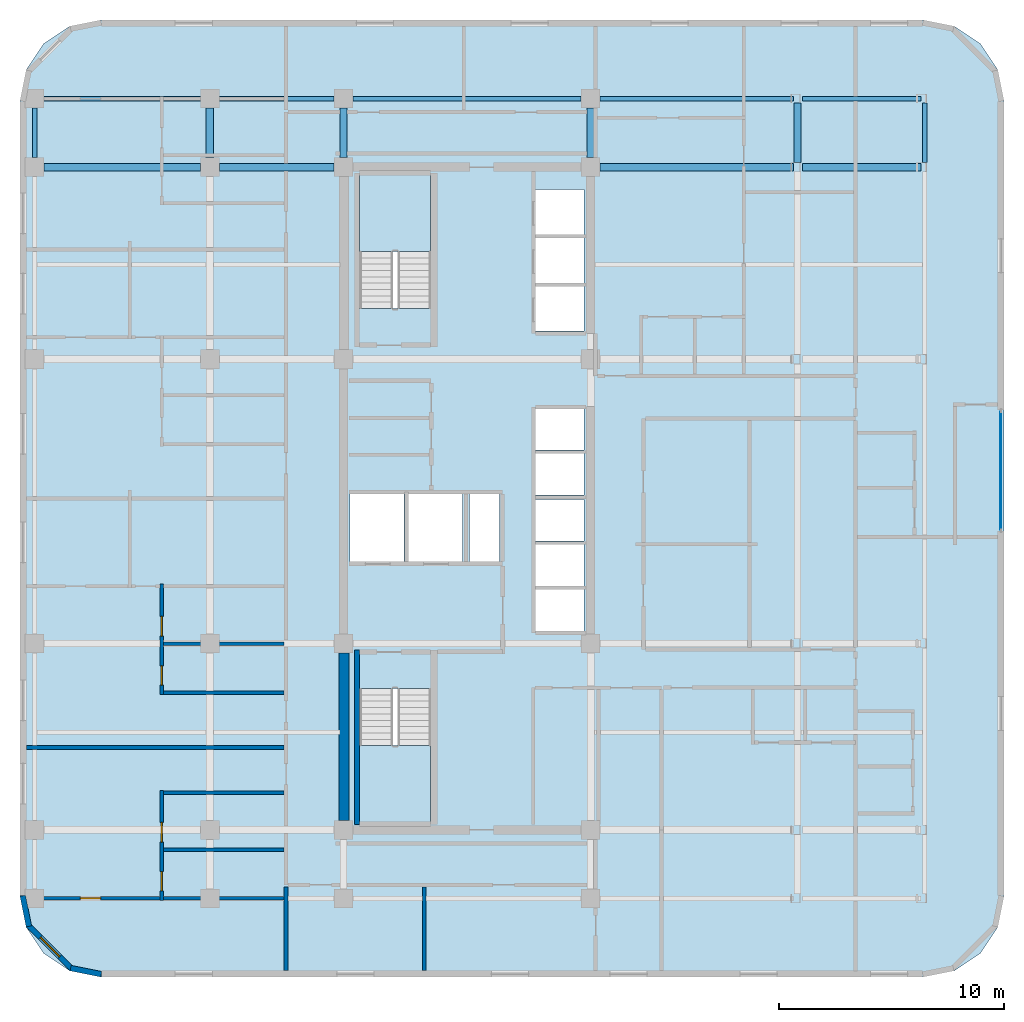
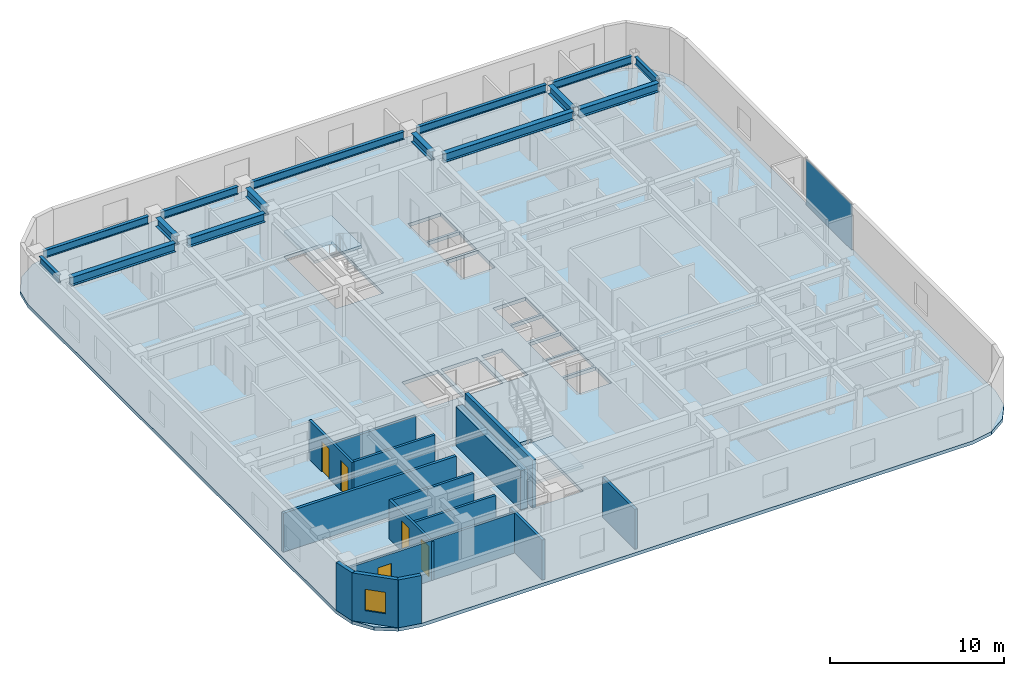
# One storey, part 3 of 9: 15 beams, 15 walls, 5 doors, 3 slabs, 1 plate, 1 window, 6 openings, 3 elements without a shape of their own.
"""IFC4 building model written with IfcOpenShell, lengths in metres."""

from ifc_helpers import new_model, si_unit, direction, frame, frame_2d, origin, origin_2d, place, context, subcontext, project, spatial, polyline, rectangle, i_section, outline, extrude, material, layer, layer_set, material_profile, profile_set, type_object, element, fill, aggregate, save


model = new_model("IFC4")

# Units and contexts
model_context = context("Model", 3, precision=1e-05, world=origin(), true_north=direction((0.0, 1.0)))
body_context = subcontext(model_context, "Body", "Model", "MODEL_VIEW")
ifc_project = project(units=[si_unit("LENGTHUNIT", "METRE"), si_unit("AREAUNIT", "SQUARE_METRE"), si_unit("VOLUMEUNIT", "CUBIC_METRE"), si_unit("PLANEANGLEUNIT", "RADIAN"), si_unit("MASSUNIT", "GRAM", prefix="KILO")], contexts=[model_context])

# Site, building, storey
site_placement = place(None, origin())
site = spatial("IfcSite", under=ifc_project, at=site_placement, CompositionType="ELEMENT")
building_placement = place(site_placement, origin())
building = spatial("IfcBuilding", under=site, at=building_placement, Name="Ochreholt Gables", CompositionType="ELEMENT")
storey_placement = place(building_placement, frame((0.0, 0.0, 124.800048828125)))
storey = spatial("IfcBuildingStorey", under=building, at=storey_placement, Name="L32", CompositionType="ELEMENT", Elevation=124.800048828125)

# Beams
ifc_material_1 = material(Name="Steel CSA G40.21 350W", Category="steel")
ifc_material_profile_1 = material_profile(ifc_material_1, i_section(OverallWidth=0.323974609375, OverallDepth=0.611083984375, WebThickness=0.0126953125, FlangeThickness=0.01904296875, at=origin_2d()), Name="W610X155")
ifc_profile_set_1 = profile_set([ifc_material_profile_1], Name="Steel CSA G40.21 350W")
beam_type_1 = type_object("IfcBeamType", Name="BM-G-W610A", PredefinedType="BEAM", material=ifc_profile_set_1)
beam_1_placement = place(storey_placement, frame((10.87451171875, 38.75, 3.054443359375), z_axis=(1.0, 0.0, 0.0), x_axis=(0.0, 1.0, 0.0)))
element("IfcBeam", 1, at=beam_1_placement, inside=storey, type_object=beam_type_1, Name="L32 Beam TBG-L32-W2W3-Y5", PredefinedType="BEAM", context=body_context, shape_type="SweptSolid", body=[
    extrude(i_section(OverallWidth=0.323974609375, OverallDepth=0.611083984375, WebThickness=0.0126953125, FlangeThickness=0.01904296875, at=origin_2d()), origin(), (0.0, 0.0, 1.0), 6.950927734375),
])
beam_2_placement = place(storey_placement, frame((18.674560546875, 38.75, 3.054443359375), z_axis=(1.0, 0.0, 0.0), x_axis=(0.0, 1.0, 0.0)))
element("IfcBeam", 2, at=beam_2_placement, inside=storey, type_object=beam_type_1, Name="L32 Beam TBG-L32-W3C1-Y5", PredefinedType="BEAM", context=body_context, shape_type="SweptSolid", body=[
    extrude(i_section(OverallWidth=0.323974609375, OverallDepth=0.611083984375, WebThickness=0.0126953125, FlangeThickness=0.01904296875, at=origin_2d()), origin(), (0.0, 0.0, 1.0), 5.100830078125),
])
beam_3_placement = place(storey_placement, frame((35.62451171875, 38.75, 3.054443359375), z_axis=(1.0, 0.0, 0.0), x_axis=(0.0, 1.0, 0.0)))
element("IfcBeam", 3, at=beam_3_placement, inside=storey, type_object=beam_type_1, Name="L32 Beam TBG-L32-C2EM-Y5", PredefinedType="BEAM", context=body_context, shape_type="SweptSolid", body=[
    extrude(i_section(OverallWidth=0.323974609375, OverallDepth=0.611083984375, WebThickness=0.0126953125, FlangeThickness=0.01904296875, at=origin_2d()), origin(), (0.0, 0.0, 1.0), 8.602783203125),
])
beam_4_placement = place(storey_placement, frame((44.632568359375, 38.75, 3.054443359375), z_axis=(1.0, 0.0, 0.0), x_axis=(0.0, 1.0, 0.0)))
element("IfcBeam", 4, at=beam_4_placement, inside=storey, type_object=beam_type_1, Name="L32 Beam TBG-L32-EMEE-Y5", PredefinedType="BEAM", context=body_context, shape_type="SweptSolid", body=[
    extrude(i_section(OverallWidth=0.323974609375, OverallDepth=0.611083984375, WebThickness=0.0126953125, FlangeThickness=0.01904296875, at=origin_2d()), origin(), (0.0, 0.0, 1.0), 5.268798828125),
])
for number, where, z_axis, x_axis, name in (
    (5, (18.25, 39.174560546875, 3.054443359375), (0.0, 1.0, 0.0), (-1.0, 0.0, 0.0), "L32 Beam TBN-L32-W3-Y5Y6"),
    (6, (24.199951171875, 39.174560546875, 3.054443359375), (0.0, 1.0, 0.0), (-1.0, 0.0, 0.0), "L32 Beam TBN-L32-C1-Y5Y6"),
    (7, (35.199951171875, 39.174560546875, 3.054443359375), (0.0, 1.0, 0.0), (-1.0, 0.0, 0.0), "L32 Beam TBN-L32-C2-Y5Y6"),
):
    element("IfcBeam", number, at=place(storey_placement, frame(where, z_axis=z_axis, x_axis=x_axis)), inside=storey, type_object=beam_type_1, Name=name, PredefinedType="BEAM", context=body_context, shape_type="SweptSolid", body=[
        extrude(i_section(OverallWidth=0.323974609375, OverallDepth=0.611083984375, WebThickness=0.0126953125, FlangeThickness=0.01904296875, at=origin_2d()), origin(), (0.0, 0.0, 1.0), 2.200927734375),
    ])
beam_5_placement = place(storey_placement, frame((44.412841796875, 38.95263671875, 3.054443359375), z_axis=(0.0, 1.0, 0.0), x_axis=(-1.0, 0.0, 0.0)))
element("IfcBeam", 8, at=beam_5_placement, inside=storey, type_object=beam_type_1, Name="L32 Beam TBN-L32-EM-Y5Y6", PredefinedType="BEAM", context=body_context, shape_type="SweptSolid", body=[
    extrude(i_section(OverallWidth=0.323974609375, OverallDepth=0.611083984375, WebThickness=0.0126953125, FlangeThickness=0.01904296875, at=origin_2d()), origin(), (0.0, 0.0, 1.0), 2.644775390625),
])
ifc_material_profile_2 = material_profile(ifc_material_1, i_section(OverallWidth=0.208984375, OverallDepth=0.532958984375, WebThickness=0.01025390625, FlangeThickness=0.015625, at=origin_2d()), Name="W530X92")
ifc_profile_set_2 = profile_set([ifc_material_profile_2], Name="Steel CSA G40.21 350W")
beam_type_2 = type_object("IfcBeamType", Name="BM-SP-W530B", PredefinedType="SPANDREL", material=ifc_profile_set_2)
beam_6_placement = place(storey_placement, frame((10.87451171875, 41.800048828125, 3.093505859375), z_axis=(1.0, 0.0, 0.0), x_axis=(0.0, 1.0, 0.0)))
element("IfcBeam", 9, at=beam_6_placement, inside=storey, type_object=beam_type_2, Name="L32 Beam TBG-L32-W2W3-Y6", PredefinedType="SPANDREL", context=body_context, shape_type="SweptSolid", body=[
    extrude(i_section(OverallWidth=0.208984375, OverallDepth=0.532958984375, WebThickness=0.01025390625, FlangeThickness=0.015625, at=origin_2d()), origin(), (0.0, 0.0, 1.0), 6.950927734375),
])
beam_7_placement = place(storey_placement, frame((18.674560546875, 41.800048828125, 3.093505859375), z_axis=(1.0, 0.0, 0.0), x_axis=(0.0, 1.0, 0.0)))
element("IfcBeam", 10, at=beam_7_placement, inside=storey, type_object=beam_type_2, Name="L32 Beam TBG-L32-W3C1-Y6", PredefinedType="SPANDREL", context=body_context, shape_type="SweptSolid", body=[
    extrude(i_section(OverallWidth=0.208984375, OverallDepth=0.532958984375, WebThickness=0.01025390625, FlangeThickness=0.015625, at=origin_2d()), origin(), (0.0, 0.0, 1.0), 5.100830078125),
])
beam_8_placement = place(storey_placement, frame((24.62451171875, 41.800048828125, 3.093505859375), z_axis=(1.0, 0.0, 0.0), x_axis=(0.0, 1.0, 0.0)))
element("IfcBeam", 11, at=beam_8_placement, inside=storey, type_object=beam_type_2, Name="L32 Beam TBG-L32-C1C2-Y6", PredefinedType="SPANDREL", context=body_context, shape_type="SweptSolid", body=[
    extrude(i_section(OverallWidth=0.208984375, OverallDepth=0.532958984375, WebThickness=0.01025390625, FlangeThickness=0.015625, at=origin_2d()), origin(), (0.0, 0.0, 1.0), 10.15087890625),
])
beam_9_placement = place(storey_placement, frame((35.62451171875, 41.800048828125, 3.093505859375), z_axis=(1.0, 0.0, 0.0), x_axis=(0.0, 1.0, 0.0)))
element("IfcBeam", 12, at=beam_9_placement, inside=storey, type_object=beam_type_2, Name="L32 Beam TBG-L32-C2EM-Y6", PredefinedType="SPANDREL", context=body_context, shape_type="SweptSolid", body=[
    extrude(i_section(OverallWidth=0.208984375, OverallDepth=0.532958984375, WebThickness=0.01025390625, FlangeThickness=0.015625, at=origin_2d()), origin(), (0.0, 0.0, 1.0), 8.602783203125),
])
beam_10_placement = place(storey_placement, frame((44.632568359375, 41.800048828125, 3.093505859375), z_axis=(1.0, 0.0, 0.0), x_axis=(0.0, 1.0, 0.0)))
element("IfcBeam", 13, at=beam_10_placement, inside=storey, type_object=beam_type_2, Name="L32 Beam TBG-L32-EMEE-Y6", PredefinedType="SPANDREL", context=body_context, shape_type="SweptSolid", body=[
    extrude(i_section(OverallWidth=0.208984375, OverallDepth=0.532958984375, WebThickness=0.01025390625, FlangeThickness=0.015625, at=origin_2d()), origin(), (0.0, 0.0, 1.0), 5.268798828125),
])
beam_11_placement = place(storey_placement, frame((10.449951171875, 39.174560546875, 3.093505859375), z_axis=(0.0, 1.0, 0.0), x_axis=(-1.0, 0.0, 0.0)))
element("IfcBeam", 14, at=beam_11_placement, inside=storey, type_object=beam_type_2, Name="L32 Beam TBN-L32-W2-Y5Y6", PredefinedType="SPANDREL", context=body_context, shape_type="SweptSolid", body=[
    extrude(i_section(OverallWidth=0.208984375, OverallDepth=0.532958984375, WebThickness=0.01025390625, FlangeThickness=0.015625, at=origin_2d()), origin(), (0.0, 0.0, 1.0), 2.200927734375),
])
beam_12_placement = place(storey_placement, frame((50.07568359375, 38.95263671875, 3.093505859375), z_axis=(0.0, 1.0, 0.0), x_axis=(-1.0, 0.0, 0.0)))
element("IfcBeam", 15, at=beam_12_placement, inside=storey, type_object=beam_type_2, Name="L32 Beam TBN-L32-EE-Y5Y6", PredefinedType="SPANDREL", context=body_context, shape_type="SweptSolid", body=[
    extrude(i_section(OverallWidth=0.208984375, OverallDepth=0.532958984375, WebThickness=0.01025390625, FlangeThickness=0.015625, at=origin_2d()), origin(), (0.0, 0.0, 1.0), 2.644775390625),
])

# Curtain wall, plate
ifc_material_2 = material(Name="Unitised Aluminium and Triple Glazing", Category="aluminium")
ifc_layer_1 = layer(ifc_material_2, 0.18994140625, Name="Unitised Aluminium and Triple Glazing")
ifc_layer_set_1 = layer_set([ifc_layer_1], Name="Unitised Aluminium and Triple Glazing")
curtain_wall_type = type_object("IfcCurtainWallType", Name="CW-SYS3", PredefinedType="NOTDEFINED", material=ifc_layer_set_1)
curtain_wall_placement = place(storey_placement, origin())
curtain_wall = element("IfcCurtainWall", 16, at=curtain_wall_placement, inside=storey, type_object=curtain_wall_type, Name="L32 East Unitised Curtain Wall", PredefinedType="NOTDEFINED")
ifc_material_3 = material(Name="Triple Low-E Insulating Glass", Category="glass")
ifc_layer_2 = layer(ifc_material_3, 0.033935546875, Name="Triple Low-E Insulating Glass")
ifc_layer_set_2 = layer_set([ifc_layer_2], Name="Triple Low-E Insulating Glass")
plate_type = type_object("IfcPlateType", Name="CW-PNL-34", PredefinedType="CURTAIN_PANEL", material=ifc_layer_set_2)
plate_placement = place(storey_placement, frame((53.4599609375, 25.240966796875, 0.074951171875), z_axis=(0.0, 0.0, 1.0), x_axis=(0.0, 1.0, 0.0)))
plate = element("IfcPlate", 17, at=plate_placement, type_object=plate_type, Name="CW-3 panel 1.1", PredefinedType="CURTAIN_PANEL", context=body_context, shape_type="SweptSolid", body=[
    extrude(rectangle(XDim=5.260009765625, YDim=0.033935546875, at=origin_2d()), origin(), (0.0, 0.0, 1.0), 3.2099609375),
])
aggregate(curtain_wall, [plate])

# Stair, slab
ifc_material_4 = material(Name="Concrete 40 MPa", Category="concrete")
stair_type_1 = type_object("IfcStairType", Name="STAIR-CORE-ST-1", PredefinedType="HALF_TURN_STAIR", material=ifc_material_4)
stair_1_placement = place(storey_placement, origin())
stair_1 = element("IfcStair", 18, at=stair_1_placement, inside=storey, type_object=stair_type_1, Name="L32 Core Exit Stair 1", PredefinedType="HALF_TURN_STAIR")
ifc_layer_3 = layer(ifc_material_4, 0.199951171875, Name="Concrete 40 MPa")
ifc_layer_set_3 = layer_set([ifc_layer_3], Name="Concrete 40 MPa")
slab_type_1 = type_object("IfcSlabType", Name="LANDING-RC200", PredefinedType="LANDING", material=ifc_layer_set_3)
slab_1_placement = place(storey_placement, frame((0.0, 0.0, 1.599853515625)))
slab_1 = element("IfcSlab", 19, at=slab_1_placement, type_object=slab_type_1, Name="ST-1 landing 1", PredefinedType="LANDING", context=body_context, shape_type="SweptSolid", body=[
    extrude(outline(polyline([(24.919921875, 13.001953125), (24.919921875, 9.52001953125), (28.080078125, 9.52001953125), (28.080078125, 13.001953125), (24.919921875, 13.001953125)])), origin(), (0.0, 0.0, 1.0), 0.2001953125),
])
aggregate(stair_1, [slab_1])

stair_type_2 = type_object("IfcStairType", Name="STAIR-CORE-ST-2", PredefinedType="HALF_TURN_STAIR", material=ifc_material_4)
stair_2_placement = place(storey_placement, origin())
stair_2 = element("IfcStair", 20, at=stair_2_placement, inside=storey, type_object=stair_type_2, Name="L32 Core Exit Stair 2", PredefinedType="HALF_TURN_STAIR")
slab_2_placement = place(storey_placement, frame((0.0, 0.0, 1.599853515625)))
slab_2 = element("IfcSlab", 21, at=slab_2_placement, type_object=slab_type_1, Name="ST-2 landing 1", PredefinedType="LANDING", context=body_context, shape_type="SweptSolid", body=[
    extrude(outline(polyline([(28.080078125, 34.998046875), (28.080078125, 38.47998046875), (24.919921875, 38.47998046875), (24.919921875, 34.998046875), (28.080078125, 34.998046875)])), origin(), (0.0, 0.0, 1.0), 0.2001953125),
])
aggregate(stair_2, [slab_2])

# Slab
ifc_layer_4 = layer(ifc_material_4, 0.239990234375, Name="Concrete 40 MPa")
ifc_layer_set_4 = layer_set([ifc_layer_4], Name="Concrete 40 MPa")
slab_type_2 = type_object("IfcSlabType", Name="SLAB-TWR-240", PredefinedType="FLOOR", material=ifc_layer_set_4)
slab_3_placement = place(storey_placement, frame((0.0, 0.0, -0.239990234375)))
element("IfcSlab", 22, at=slab_3_placement, inside=storey, type_object=slab_type_2, Name="L32 Structural Floor Slab", PredefinedType="FLOOR", context=body_context, shape_type="SweptSolid", body=[
    extrude(outline(polyline([(9.800048828125, 6.300048828125), (10.073974609375, 4.92236328125), (10.8544921875, 3.75439453125), (12.022216796875, 2.97412109375), (13.39990234375, 2.699951171875), (50.0, 2.699951171875), (51.377685546875, 2.97412109375), (52.545654296875, 3.75439453125), (53.325927734375, 4.92236328125), (53.60009765625, 6.300048828125), (53.60009765625, 41.699951171875), (53.325927734375, 43.07763671875), (52.545654296875, 44.24560546875), (51.377685546875, 45.02587890625), (50.0, 45.300048828125), (13.39990234375, 45.300048828125), (12.022216796875, 45.02587890625), (10.8544921875, 44.24560546875), (10.073974609375, 43.07763671875), (9.800048828125, 41.699951171875), (9.800048828125, 6.300048828125)]), holes=[polyline([(24.919921875, 15.539306640625), (24.919921875, 9.52001953125), (28.080078125, 9.52001953125), (28.080078125, 15.539306640625), (24.919921875, 15.539306640625)]), polyline([(28.080078125, 32.460693359375), (28.080078125, 38.47998046875), (24.919921875, 38.47998046875), (24.919921875, 32.460693359375), (28.080078125, 32.460693359375)]), polyline([(24.5, 21.199951171875), (26.89990234375, 21.199951171875), (26.89990234375, 24.199951171875), (24.5, 24.199951171875), (24.5, 21.199951171875)]), polyline([(27.10009765625, 21.199951171875), (29.5, 21.199951171875), (29.5, 24.199951171875), (27.10009765625, 24.199951171875), (27.10009765625, 21.199951171875)]), polyline([(32.75, 18.10009765625), (34.89990234375, 18.10009765625), (34.89990234375, 19.949951171875), (32.75, 19.949951171875), (32.75, 18.10009765625)]), polyline([(32.75, 20.10009765625), (34.89990234375, 20.10009765625), (34.89990234375, 21.949951171875), (32.75, 21.949951171875), (32.75, 20.10009765625)]), polyline([(32.75, 22.10009765625), (34.89990234375, 22.10009765625), (34.89990234375, 23.949951171875), (32.75, 23.949951171875), (32.75, 22.10009765625)]), polyline([(32.75, 24.14990234375), (34.89990234375, 24.14990234375), (34.89990234375, 26.0), (32.75, 26.0), (32.75, 24.14990234375)]), polyline([(32.75, 26.14990234375), (34.89990234375, 26.14990234375), (34.89990234375, 28.0), (32.75, 28.0), (32.75, 26.14990234375)]), polyline([(32.75, 31.449951171875), (34.89990234375, 31.449951171875), (34.89990234375, 33.449951171875), (32.75, 33.449951171875), (32.75, 31.449951171875)]), polyline([(32.75, 33.60009765625), (34.89990234375, 33.60009765625), (34.89990234375, 35.60009765625), (32.75, 35.60009765625), (32.75, 33.60009765625)]), polyline([(32.75, 35.75), (34.89990234375, 35.75), (34.89990234375, 37.75), (32.75, 37.75), (32.75, 35.75)]), polyline([(29.800048828125, 21.199951171875), (31.14990234375, 21.199951171875), (31.14990234375, 24.199951171875), (29.800048828125, 24.199951171875), (29.800048828125, 21.199951171875)])]), origin(), (0.0, 0.0, 1.0), 0.239990234375),
])

# Walls
ifc_material_5 = material(Name="Concrete 60 MPa", Category="concrete")
ifc_layer_5 = layer(ifc_material_5, 0.449951171875, Name="Concrete 60 MPa")
ifc_layer_set_5 = layer_set([ifc_layer_5], Name="Concrete 60 MPa")
wall_type_1 = type_object("IfcWallType", Name="WALL-CSW-450", PredefinedType="SHEAR", material=ifc_layer_set_5)
wall_1_placement = place(storey_placement, frame((24.22509765625, 9.675048828125, 0.0), z_axis=(0.0, 0.0, 1.0), x_axis=(0.0, 1.0, 0.0)))
element("IfcWall", 23, at=wall_1_placement, inside=storey, type_object=wall_type_1, Name="L32 Core West Shear Wall WS", PredefinedType="SHEAR", context=body_context, shape_type="SweptSolid", body=[
    extrude(rectangle(XDim=7.449951171875, YDim=0.449951171875, at=frame_2d((3.72509765625, 0.0))), origin(), (0.0, 0.0, 1.0), 2.7490234375),
])
ifc_material_6 = material(Name="Precast concrete 40 MPa", Category="concrete")
ifc_layer_6 = layer(ifc_material_6, 0.25, Name="Precast concrete 40 MPa")
ifc_layer_set_6 = layer_set([ifc_layer_6], Name="Precast concrete 40 MPa")
wall_type_2 = type_object("IfcWallType", Name="WALL-EXT-CNR", PredefinedType="SOLIDWALL", material=ifc_layer_set_6)
wall_2_placement = place(storey_placement, frame((9.92431640625, 6.31640625, 0.0), z_axis=(0.0, 0.0, 1.0), x_axis=(0.195000137217, -0.980803214965, 0.0)))
element("IfcWall", 24, at=wall_2_placement, inside=storey, type_object=wall_type_2, Name="L32 Rounded Corner Wall SW-1", PredefinedType="SOLIDWALL", context=body_context, shape_type="SweptSolid", body=[
    extrude(rectangle(XDim=1.388427734375, YDim=0.25, at=frame_2d((0.6943359375, 0.0))), origin(), (0.0, 0.0, 1.0), 3.35986328125),
])

# Wall, opening, window
wall_3_placement = place(storey_placement, frame((10.16796875, 5.0048828125, 0.0), z_axis=(0.0, 0.0, 1.0), x_axis=(0.707151344399, -0.707062215165, 0.0)))
wall_3 = element("IfcWall", 25, at=wall_3_placement, inside=storey, type_object=wall_type_2, Name="L32 Rounded Corner Wall SW-2", PredefinedType="SOLIDWALL", context=body_context, shape_type="SweptSolid", body=[
    extrude(rectangle(XDim=2.7392578125, YDim=0.25, at=frame_2d((1.36962890625, 0.0))), origin(), (0.0, 0.0, 1.0), 3.35986328125),
])
opening_1_placement = place(wall_3_placement, frame((0.769775390625, 0.0, 0.85009765625)))
opening_1 = element("IfcOpeningElement", 26, at=opening_1_placement, cuts=wall_3, Name="Opening WN-3", PredefinedType="OPENING", context=body_context, shape_type="SweptSolid", body=[
    extrude(rectangle(XDim=1.199951171875, YDim=1.5, at=frame_2d((0.60009765625, 0.75))), frame((0.0, 0.135009765625, 0.0), z_axis=(0.0, -1.0, 0.0), x_axis=(1.0, 0.0, 0.0)), (0.0, 0.0, 1.0), 0.27001953125),
])
ifc_material_7 = material(Name="Triple-Glazed Thermally Broken Aluminium Window", Category="aluminium")
window_type = type_object("IfcWindowType", Name="WIN-RES-1200", PartitioningType="SINGLE_PANEL", PredefinedType="WINDOW", material=ifc_material_7)
window_placement = place(opening_1_placement, origin())
window = element("IfcWindow", 27, at=window_placement, inside=storey, type_object=window_type, Name="L32 Corner Bedroom Window SW", OverallHeight=1.5, OverallWidth=1.199951171875, PartitioningType="SINGLE_PANEL", PredefinedType="WINDOW", context=body_context, shape_type="SweptSolid", body=[
    extrude(rectangle(XDim=1.199951171875, YDim=1.5, at=frame_2d((0.60009765625, 0.75))), frame((0.0, 0.030029296875, 0.0), z_axis=(0.0, -1.0, 0.0), x_axis=(1.0, 0.0, 0.0)), (0.0, 0.0, 1.0), 0.06005859375),
])
fill(opening_1, window)

# Walls
wall_4_placement = place(storey_placement, frame((12.054443359375, 3.094970703125, 0.0), z_axis=(0.0, 0.0, 1.0), x_axis=(0.980809899341, -0.19496651342, 0.0)))
element("IfcWall", 28, at=wall_4_placement, inside=storey, type_object=wall_type_2, Name="L32 Rounded Corner Wall SW-3", PredefinedType="SOLIDWALL", context=body_context, shape_type="SweptSolid", body=[
    extrude(rectangle(XDim=1.388671875, YDim=0.25, at=frame_2d((0.6943359375, 0.0))), origin(), (0.0, 0.0, 1.0), 3.35986328125),
])
ifc_material_8 = material(Name="Double-Stud Acoustic Demising Wall", Category="gypsum")
ifc_layer_7 = layer(ifc_material_8, 0.179931640625, Name="Double-Stud Acoustic Demising Wall")
ifc_layer_set_7 = layer_set([ifc_layer_7], Name="Double-Stud Acoustic Demising Wall")
wall_type_3 = type_object("IfcWallType", Name="WALL-INT-DM180", PredefinedType="PARTITIONING", material=ifc_layer_set_7)
wall_5_placement = place(storey_placement, frame((21.64990234375, 2.97998046875, 0.0), z_axis=(0.0, 0.0, 1.0), x_axis=(0.0, 1.0, 0.0)))
element("IfcWall", 29, at=wall_5_placement, inside=storey, type_object=wall_type_3, Name="L32 Interior Wall WI-C2WWS-L32", PredefinedType="PARTITIONING", context=body_context, shape_type="SweptSolid", body=[
    extrude(rectangle(XDim=3.72998046875, YDim=0.179931640625, at=frame_2d((1.864990234375, 0.0))), origin(), (0.0, 0.0, 1.0), 2.808837890625),
])
wall_6_placement = place(storey_placement, frame((10.080078125, 12.924072265625, 0.0), z_axis=(0.0, 0.0, 1.0), x_axis=(1.0, 0.0, 0.0)))
element("IfcWall", 30, at=wall_6_placement, inside=storey, type_object=wall_type_3, Name="L32 Interior Wall WI-C2UDW2-L32", PredefinedType="PARTITIONING", context=body_context, shape_type="SweptSolid", body=[
    extrude(rectangle(XDim=11.47998046875, YDim=0.179931640625, at=frame_2d((5.739990234375, 0.0))), origin(), (0.0, 0.0, 1.0), 2.73095703125),
])
ifc_material_9 = material(Name="Moisture-Resistant Plumbing Chase Wall", Category="gypsum")
ifc_layer_8 = layer(ifc_material_9, 0.159912109375, Name="Moisture-Resistant Plumbing Chase Wall")
ifc_layer_set_8 = layer_set([ifc_layer_8], Name="Moisture-Resistant Plumbing Chase Wall")
wall_type_4 = type_object("IfcWallType", Name="WALL-INT-PL160", PredefinedType="PLUMBINGWALL", material=ifc_layer_set_8)
wall_7_placement = place(storey_placement, frame((16.030029296875, 10.912109375, 0.0), z_axis=(0.0, 0.0, 1.0), x_axis=(1.0, 0.0, 0.0)))
element("IfcWall", 31, at=wall_7_placement, inside=storey, type_object=wall_type_4, Name="L32 Interior Wall WU-L32W1-FYN", PredefinedType="PLUMBINGWALL", context=body_context, shape_type="SweptSolid", body=[
    extrude(rectangle(XDim=5.530029296875, YDim=0.159912109375, at=frame_2d((2.76513671875, 0.0))), origin(), (0.0, 0.0, 1.0), 2.73095703125),
])

# Wall, openings, doors
wall_8_placement = place(storey_placement, frame((16.110107421875, 6.114990234375, 0.0), z_axis=(0.0, 0.0, 1.0), x_axis=(0.0, 1.0, 0.0)))
wall_8 = element("IfcWall", 32, at=wall_8_placement, inside=storey, type_object=wall_type_4, Name="L32 Interior Wall WU-L32W1-WX", PredefinedType="PLUMBINGWALL", context=body_context, shape_type="SweptSolid", body=[
    extrude(rectangle(XDim=4.886962890625, YDim=0.159912109375, at=frame_2d((2.443359375, 0.0))), origin(), (0.0, 0.0, 1.0), 2.73095703125),
])
opening_2_placement = place(wall_8_placement, frame((0.419921875, 0.0, 0.0)))
opening_2 = element("IfcOpeningElement", 33, at=opening_2_placement, cuts=wall_8, Name="Opening D-BT1", PredefinedType="OPENING", context=body_context, shape_type="SweptSolid", body=[
    extrude(rectangle(XDim=0.860107421875, YDim=2.1201171875, at=frame_2d((0.43017578125, 1.06005859375))), frame((0.0, 0.08984375, 0.0), z_axis=(0.0, -1.0, 0.0), x_axis=(1.0, 0.0, 0.0)), (0.0, 0.0, 1.0), 0.179931640625),
])
opening_3_placement = place(wall_8_placement, frame((2.585205078125, 0.0, 0.0)))
opening_3 = element("IfcOpeningElement", 34, at=opening_3_placement, cuts=wall_8, Name="Opening D-GN2", PredefinedType="OPENING", context=body_context, shape_type="SweptSolid", body=[
    extrude(rectangle(XDim=0.8798828125, YDim=2.1201171875, at=frame_2d((0.43994140625, 1.06005859375))), frame((0.0, 0.08984375, 0.0), z_axis=(0.0, -1.0, 0.0), x_axis=(1.0, 0.0, 0.0)), (0.0, 0.0, 1.0), 0.179931640625),
])
ifc_material_10 = material(Name="Engineered Oak Timber", Category="wood")
door_type_1 = type_object("IfcDoorType", Name="DR-INT-BTH860", OperationType="NOTDEFINED", PredefinedType="DOOR", material=ifc_material_10)
door_1_placement = place(opening_2_placement, origin())
door_1 = element("IfcDoor", 35, at=door_1_placement, inside=storey, type_object=door_type_1, Name="L32 Door D-U-L32W1-BTH", OperationType="SINGLE_SWING_LEFT", OverallHeight=2.1201171875, OverallWidth=0.860107421875, PredefinedType="DOOR", context=body_context, shape_type="SweptSolid", body=[
    extrude(rectangle(XDim=0.860107421875, YDim=2.1201171875, at=frame_2d((0.43017578125, 1.06005859375))), frame((0.0, 0.02490234375, 0.0), z_axis=(0.0, -1.0, 0.0), x_axis=(1.0, 0.0, 0.0)), (0.0, 0.0, 1.0), 0.050048828125),
])
fill(opening_2, door_1)
door_type_2 = type_object("IfcDoorType", Name="DR-INT-GEN880", OperationType="NOTDEFINED", PredefinedType="DOOR", material=ifc_material_10)
door_2_placement = place(opening_3_placement, origin())
door_2 = element("IfcDoor", 36, at=door_2_placement, inside=storey, type_object=door_type_2, Name="L32 Door D-U-L32W1-KIT", OperationType="SINGLE_SWING_RIGHT", OverallHeight=2.1201171875, OverallWidth=0.8798828125, PredefinedType="DOOR", context=body_context, shape_type="SweptSolid", body=[
    extrude(rectangle(XDim=0.8798828125, YDim=2.1201171875, at=frame_2d((0.43994140625, 1.06005859375))), frame((0.0, 0.02490234375, 0.0), z_axis=(0.0, -1.0, 0.0), x_axis=(1.0, 0.0, 0.0)), (0.0, 0.0, 1.0), 0.050048828125),
])
fill(opening_3, door_2)

# Walls
wall_9_placement = place(storey_placement, frame((16.18994140625, 8.3701171875, 0.0), z_axis=(0.0, 0.0, 1.0), x_axis=(1.0, 0.0, 0.0)))
element("IfcWall", 37, at=wall_9_placement, inside=storey, type_object=wall_type_4, Name="L32 Interior Wall WU-L32W1-WK", PredefinedType="PLUMBINGWALL", context=body_context, shape_type="SweptSolid", body=[
    extrude(rectangle(XDim=5.3701171875, YDim=0.159912109375, at=frame_2d((2.68505859375, 0.0))), origin(), (0.0, 0.0, 1.0), 2.73095703125),
])
wall_10_placement = place(storey_placement, frame((16.030029296875, 15.36083984375, 0.0), z_axis=(0.0, 0.0, 1.0), x_axis=(1.0, 0.0, 0.0)))
element("IfcWall", 38, at=wall_10_placement, inside=storey, type_object=wall_type_4, Name="L32 Interior Wall WU-L32W2-FYS", PredefinedType="PLUMBINGWALL", context=body_context, shape_type="SweptSolid", body=[
    extrude(rectangle(XDim=5.530029296875, YDim=0.159912109375, at=frame_2d((2.76513671875, 0.0))), origin(), (0.0, 0.0, 1.0), 2.73095703125),
])

# Wall, openings, doors
wall_11_placement = place(storey_placement, frame((16.110107421875, 15.27099609375, 0.0), z_axis=(0.0, 0.0, 1.0), x_axis=(0.0, 1.0, 0.0)))
wall_11 = element("IfcWall", 39, at=wall_11_placement, inside=storey, type_object=wall_type_4, Name="L32 Interior Wall WU-L32W2-WX", PredefinedType="PLUMBINGWALL", context=body_context, shape_type="SweptSolid", body=[
    extrude(rectangle(XDim=4.915283203125, YDim=0.159912109375, at=frame_2d((2.45751953125, 0.0))), origin(), (0.0, 0.0, 1.0), 2.73095703125),
])
opening_4_placement = place(wall_11_placement, frame((0.419921875, 0.0, 0.0)))
opening_4 = element("IfcOpeningElement", 40, at=opening_4_placement, cuts=wall_11, Name="Opening D-BT1", PredefinedType="OPENING", context=body_context, shape_type="SweptSolid", body=[
    extrude(rectangle(XDim=0.860107421875, YDim=2.1201171875, at=frame_2d((0.43017578125, 1.06005859375))), frame((0.0, 0.08984375, 0.0), z_axis=(0.0, -1.0, 0.0), x_axis=(1.0, 0.0, 0.0)), (0.0, 0.0, 1.0), 0.179931640625),
])
opening_5_placement = place(wall_11_placement, frame((2.598388671875, 0.0, 0.0)))
opening_5 = element("IfcOpeningElement", 41, at=opening_5_placement, cuts=wall_11, Name="Opening D-GN2", PredefinedType="OPENING", context=body_context, shape_type="SweptSolid", body=[
    extrude(rectangle(XDim=0.8798828125, YDim=2.1201171875, at=frame_2d((0.43994140625, 1.06005859375))), frame((0.0, 0.08984375, 0.0), z_axis=(0.0, -1.0, 0.0), x_axis=(1.0, 0.0, 0.0)), (0.0, 0.0, 1.0), 0.179931640625),
])
door_3_placement = place(opening_4_placement, origin())
door_3 = element("IfcDoor", 42, at=door_3_placement, inside=storey, type_object=door_type_1, Name="L32 Door D-U-L32W2-BTH", OperationType="SINGLE_SWING_RIGHT", OverallHeight=2.1201171875, OverallWidth=0.860107421875, PredefinedType="DOOR", context=body_context, shape_type="SweptSolid", body=[
    extrude(rectangle(XDim=0.860107421875, YDim=2.1201171875, at=frame_2d((0.43017578125, 1.06005859375))), frame((0.0, 0.02490234375, 0.0), z_axis=(0.0, -1.0, 0.0), x_axis=(1.0, 0.0, 0.0)), (0.0, 0.0, 1.0), 0.050048828125),
])
fill(opening_4, door_3)
door_4_placement = place(opening_5_placement, origin())
door_4 = element("IfcDoor", 43, at=door_4_placement, inside=storey, type_object=door_type_2, Name="L32 Door D-U-L32W2-KIT", OperationType="SINGLE_SWING_LEFT", OverallHeight=2.1201171875, OverallWidth=0.8798828125, PredefinedType="DOOR", context=body_context, shape_type="SweptSolid", body=[
    extrude(rectangle(XDim=0.8798828125, YDim=2.1201171875, at=frame_2d((0.43994140625, 1.06005859375))), frame((0.0, 0.02490234375, 0.0), z_axis=(0.0, -1.0, 0.0), x_axis=(1.0, 0.0, 0.0)), (0.0, 0.0, 1.0), 0.050048828125),
])
fill(opening_5, door_4)

# Wall
wall_12_placement = place(storey_placement, frame((16.18994140625, 17.539306640625, 0.0), z_axis=(0.0, 0.0, 1.0), x_axis=(1.0, 0.0, 0.0)))
element("IfcWall", 44, at=wall_12_placement, inside=storey, type_object=wall_type_4, Name="L32 Interior Wall WU-L32W2-WK", PredefinedType="PLUMBINGWALL", context=body_context, shape_type="SweptSolid", body=[
    extrude(rectangle(XDim=5.3701171875, YDim=0.159912109375, at=frame_2d((2.68505859375, 0.0))), origin(), (0.0, 0.0, 1.0), 2.73095703125),
])

# Wall, opening, door
ifc_material_11 = material(Name="Gypsum Acoustic Stud Partition", Category="gypsum")
ifc_layer_9 = layer(ifc_material_11, 0.1650390625, Name="Gypsum Acoustic Stud Partition")
ifc_layer_set_9 = layer_set([ifc_layer_9], Name="Gypsum Acoustic Stud Partition")
wall_type_5 = type_object("IfcWallType", Name="WALL-INT-PT165", PredefinedType="PARTITIONING", material=ifc_layer_set_9)
wall_13_placement = place(storey_placement, frame((10.099365234375, 6.205078125, 0.0), z_axis=(0.0, 0.0, 1.0), x_axis=(1.0, 0.0, 0.0)))
wall_13 = element("IfcWall", 45, at=wall_13_placement, inside=storey, type_object=wall_type_5, Name="L32 Interior Wall WU-L32W1-MN", PredefinedType="PARTITIONING", context=body_context, shape_type="SweptSolid", body=[
    extrude(rectangle(XDim=11.460693359375, YDim=0.1650390625, at=frame_2d((5.73046875, 0.0))), origin(), (0.0, 0.0, 1.0), 2.808837890625),
])
opening_6_placement = place(wall_13_placement, frame((2.390625, 0.0, 0.0)))
opening_6 = element("IfcOpeningElement", 46, at=opening_6_placement, cuts=wall_13, Name="Opening D-BD1", PredefinedType="OPENING", context=body_context, shape_type="SweptSolid", body=[
    extrude(rectangle(XDim=0.89990234375, YDim=2.139892578125, at=frame_2d((0.449951171875, 1.06982421875))), frame((0.0, 0.092529296875, 0.0), z_axis=(0.0, -1.0, 0.0), x_axis=(1.0, 0.0, 0.0)), (0.0, 0.0, 1.0), 0.18505859375),
])
door_type_3 = type_object("IfcDoorType", Name="DR-INT-BED900", OperationType="NOTDEFINED", PredefinedType="DOOR", material=ifc_material_10)
door_5_placement = place(opening_6_placement, origin())
door_5 = element("IfcDoor", 47, at=door_5_placement, inside=storey, type_object=door_type_3, Name="L32 Door D-U-L32W1-BD1", OperationType="SINGLE_SWING_LEFT", OverallHeight=2.139892578125, OverallWidth=0.89990234375, PredefinedType="DOOR", context=body_context, shape_type="SweptSolid", body=[
    extrude(rectangle(XDim=0.89990234375, YDim=2.139892578125, at=frame_2d((0.449951171875, 1.06982421875))), frame((0.0, 0.02490234375, 0.0), z_axis=(0.0, -1.0, 0.0), x_axis=(1.0, 0.0, 0.0)), (0.0, 0.0, 1.0), 0.050048828125),
])
fill(opening_6, door_5)

# Walls
wall_14_placement = place(storey_placement, frame((27.800048828125, 2.97998046875, 0.0), z_axis=(0.0, 0.0, 1.0), x_axis=(0.0, 1.0, 0.0)))
element("IfcWall", 48, at=wall_14_placement, inside=storey, type_object=wall_type_5, Name="L32 Interior Wall WI-C2PKS-L32", PredefinedType="PARTITIONING", context=body_context, shape_type="SweptSolid", body=[
    extrude(rectangle(XDim=3.72998046875, YDim=0.1650390625, at=frame_2d((1.864990234375, 0.0))), origin(), (0.0, 0.0, 1.0), 2.808837890625),
])
ifc_material_12 = material(Name="Concrete 50 MPa", Category="concrete")
ifc_layer_10 = layer(ifc_material_12, 0.219970703125, Name="Concrete 50 MPa")
ifc_layer_set_10 = layer_set([ifc_layer_10], Name="Concrete 50 MPa")
wall_type_6 = type_object("IfcWallType", Name="WALL-STW-220", PredefinedType="SHEAR", material=ifc_layer_set_10)
wall_15_placement = place(storey_placement, frame((24.81005859375, 9.5, 0.0), z_axis=(0.0, 0.0, 1.0), x_axis=(0.0, 1.0, 0.0)))
element("IfcWall", 49, at=wall_15_placement, inside=storey, type_object=wall_type_6, Name="L32 Exit Stair 1 West Wall", PredefinedType="SHEAR", context=body_context, shape_type="SweptSolid", body=[
    extrude(rectangle(XDim=7.760009765625, YDim=0.219970703125, at=frame_2d((3.8798828125, 0.0))), origin(), (0.0, 0.0, 1.0), 3.35986328125),
])

save(model, "model.ifc")
